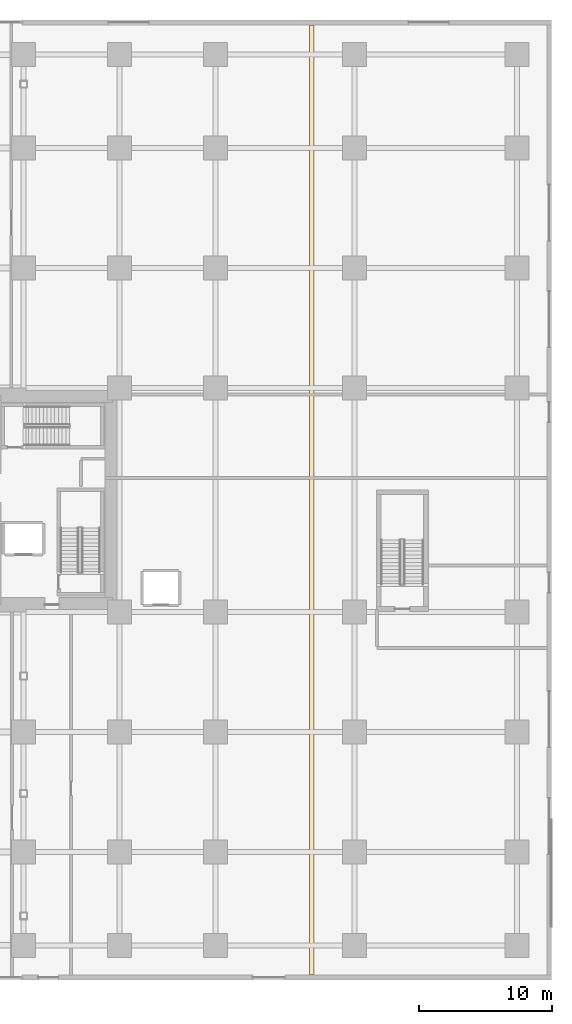
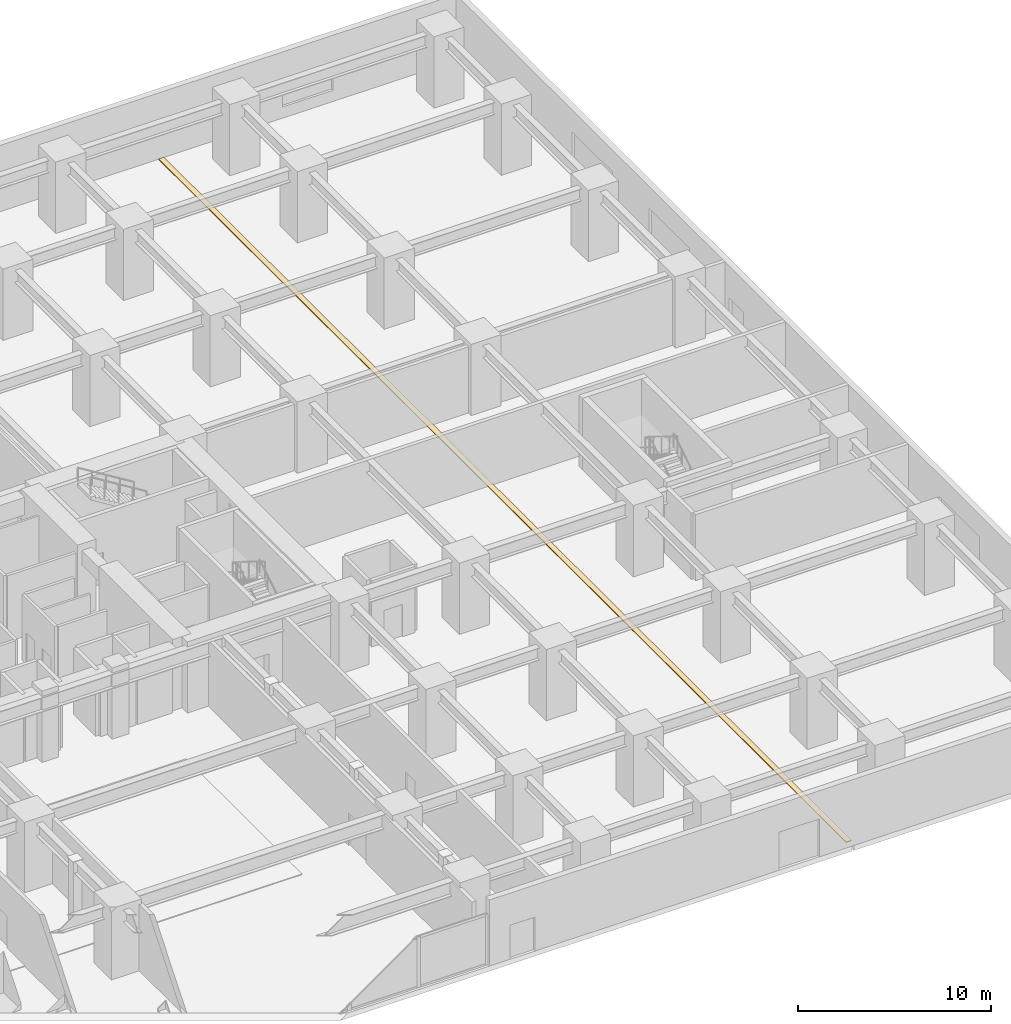
# One storey, part 24 of 26: 1 covering.
"""IFC4 building model written with IfcOpenShell, lengths in metres."""

import ifcopenshell
import ifcopenshell.guid

model = None  # the IFC model being written
_history = None  # IfcOwnerHistory: only IFC2X3 demands one
_inside = {}  # id of a spatial element -> (the spatial element, [elements in it])
_under = {}  # id of a project, library or spatial element -> (it, [spatial elements below it])
_declared = {}  # id of a project -> (the project, [libraries it declares])
_typed = {}  # id of a type object -> (the type object, [elements of that type])
_made_of = {}  # id of a material, layer set ... -> (it, [elements and type objects made of it])


def new_model(schema):
    """Start an empty IFC model of exactly this schema.

    Asked for "IFC4X3", IfcOpenShell would pick the latest addendum, in which some entities
    have other attributes; the version numbers below select the first issue.
    IFC2X3 requires an IfcOwnerHistory on every rooted entity: one is made here for all.
    """
    global model, _history
    if schema == "IFC4X3":
        model = ifcopenshell.file(schema_version=(4, 3, 0, 0))
    else:
        model = ifcopenshell.file(schema=schema)
    _inside.clear()
    _under.clear()
    _declared.clear()
    _typed.clear()
    _made_of.clear()
    _history = None
    if model.schema == "IFC2X3":
        org = make("IfcOrganization", Name="unknown")
        user = make(
            "IfcPersonAndOrganization",
            ThePerson=make("IfcPerson", FamilyName="unknown"),
            TheOrganization=org,
        )
        app = make(
            "IfcApplication",
            ApplicationDeveloper=org,
            Version="unknown",
            ApplicationFullName="unknown",
            ApplicationIdentifier="unknown",
        )
        _history = make(
            "IfcOwnerHistory",
            OwningUser=user,
            OwningApplication=app,
            ChangeAction="ADDED",
            CreationDate=0,
        )
    return model


def make(cls, **values):
    """One entity of the class cls with the attributes given. An attribute that is None is left unset."""
    return model.create_entity(
        cls, **{name: value for name, value in values.items() if value is not None}
    )


def rooted(cls, **values):
    """An entity with a GlobalId (a new one), such as an element, a storey or a relation."""
    return make(cls, GlobalId=ifcopenshell.guid.new(), OwnerHistory=_history, **values)


def si_unit(unit_type, name, prefix=None):
    """IfcSIUnit, for example si_unit("LENGTHUNIT", "METRE", prefix="MILLI")."""
    return make("IfcSIUnit", UnitType=unit_type, Prefix=prefix, Name=name)


def assignment(units):
    """IfcUnitAssignment: the units of a project."""
    return None if units is None else make("IfcUnitAssignment", Units=units)


def point(xyz):
    """IfcCartesianPoint."""
    return None if xyz is None else make("IfcCartesianPoint", Coordinates=xyz)


def direction(xyz):
    """IfcDirection."""
    return None if xyz is None else make("IfcDirection", DirectionRatios=xyz)


def frame(location, z_axis=None, x_axis=None):
    """IfcAxis2Placement3D, a coordinate frame: its origin and axes. An axis left out is left unset."""
    return make(
        "IfcAxis2Placement3D",
        Location=point(location),
        Axis=direction(z_axis),
        RefDirection=direction(x_axis),
    )


def origin():
    """The frame at (0, 0, 0) with its axes left unset."""
    return frame((0.0, 0.0, 0.0))


def place(relative_to, where):
    """IfcLocalPlacement: puts the frame where relative to a parent placement (None: the world)."""
    return make(
        "IfcLocalPlacement", PlacementRelTo=relative_to, RelativePlacement=where
    )


def context(
    kind, dimensions, precision=None, world=None, true_north=None, identifier=None
):
    """IfcGeometricRepresentationContext, for example the 3D "Model" context."""
    return make(
        "IfcGeometricRepresentationContext",
        ContextIdentifier=identifier,
        ContextType=kind,
        CoordinateSpaceDimension=dimensions,
        Precision=precision,
        WorldCoordinateSystem=world,
        TrueNorth=true_north,
    )


def subcontext(parent, identifier, kind, view, scale=None):
    """IfcGeometricRepresentationSubContext, for example "Body" below "Model"."""
    return make(
        "IfcGeometricRepresentationSubContext",
        ContextIdentifier=identifier,
        ContextType=kind,
        ParentContext=parent,
        TargetScale=scale,
        TargetView=view,
    )


def project(units=None, contexts=None):
    """IfcProject with its units and contexts."""
    return rooted(
        "IfcProject",
        Name="project",
        RepresentationContexts=contexts,
        UnitsInContext=assignment(units),
    )


def spatial(cls, under=None, at=None, **own):
    """A site, building, storey or space (cls), placed at a placement, below another one or the project."""
    s = rooted(cls, ObjectPlacement=at, **own)
    if under is not None:
        _under.setdefault(under.id(), (under, []))[1].append(s)
    return s


def polyline(points):
    """IfcPolyline through the points."""
    return make("IfcPolyline", Points=[point(p) for p in points])


def outline(outer, holes=None, kind="AREA"):
    """IfcArbitraryClosedProfileDef: a profile drawn as a closed curve; with holes, ...WithVoids."""
    if holes is None:
        return make("IfcArbitraryClosedProfileDef", ProfileType=kind, OuterCurve=outer)
    return make(
        "IfcArbitraryProfileDefWithVoids",
        ProfileType=kind,
        OuterCurve=outer,
        InnerCurves=holes,
    )


def extrude(swept, where, along, depth):
    """IfcExtrudedAreaSolid: the profile swept, set in the frame where, extruded along a direction by depth."""
    return make(
        "IfcExtrudedAreaSolid",
        SweptArea=swept,
        Position=where,
        ExtrudedDirection=direction(along),
        Depth=depth,
    )


def shape(context_of_items, identifier, shape_type, items):
    """IfcShapeRepresentation: the items that make up one representation, for example the "Body"."""
    return make(
        "IfcShapeRepresentation",
        ContextOfItems=context_of_items,
        RepresentationIdentifier=identifier,
        RepresentationType=shape_type,
        Items=items,
    )


def material(Name=None, Category=None):
    """IfcMaterial."""
    return make("IfcMaterial", Name=Name, Category=Category)


def layer(
    of_material, thickness, ventilated=None, Name=None, Category=None, Priority=None
):
    """IfcMaterialLayer: one layer of a wall or slab, of a material (None: an air gap)."""
    return make(
        "IfcMaterialLayer",
        Material=of_material,
        LayerThickness=thickness,
        IsVentilated=ventilated,
        Name=Name,
        Category=Category,
        Priority=Priority,
    )


def layer_set(layers, Name=None):
    """IfcMaterialLayerSet."""
    return make("IfcMaterialLayerSet", MaterialLayers=layers, LayerSetName=Name)


def made_of(thing, what):
    """Note that an element or type object is made of a material, layer set ...; save() writes the relation."""
    if what is not None:
        _made_of.setdefault(what.id(), (what, []))[1].append(thing)
    return thing


def type_object(cls, material=None, **own):
    """A type object (cls), such as IfcWallType, which elements share."""
    return made_of(rooted(cls, **own), material)


def element(
    cls,
    number,
    at=None,
    inside=None,
    cuts=None,
    type_object=None,
    material=None,
    context=None,
    identifier="Body",
    shape_type=None,
    held_by="IfcProductDefinitionShape",
    body=None,
    shapes=None,
    **own,
):
    """One element of the class cls, such as IfcWall. Its Tag is "e" and its number.

    at: its placement. inside: the storey or other place that contains it. cuts: it is an
    opening in that element (IfcRelVoidsElement). A single representation is given by context,
    identifier, shape_type and body (its items); several are given by shapes. held_by: the class
    of the entity that holds the representations. save() writes the other relations.
    """
    e = rooted(cls, Tag="e%d" % number, ObjectPlacement=at, **own)
    if body is not None:
        shapes = [shape(context, identifier, shape_type, body)]
    if shapes is not None:
        e.Representation = make(held_by, Representations=shapes)
    if inside is not None:
        _inside.setdefault(inside.id(), (inside, []))[1].append(e)
    if cuts is not None:
        rooted(
            "IfcRelVoidsElement", RelatingBuildingElement=cuts, RelatedOpeningElement=e
        )
    if type_object is not None:
        _typed.setdefault(type_object.id(), (type_object, []))[1].append(e)
    return made_of(e, material)


def aggregate(whole, parts):
    """IfcRelAggregates: a whole, such as a stair, and the parts it consists of."""
    return rooted("IfcRelAggregates", RelatingObject=whole, RelatedObjects=parts)


def save(model, path):
    """Write the relations noted so far, then the file.

    IfcRelAggregates (storeys below a building ...), IfcRelContainedInSpatialStructure (elements
    in a storey), IfcRelDefinesByType, IfcRelAssociatesMaterial and IfcRelDeclares: one each for
    every whole, place, type object, material and project.
    """
    for whole, parts in _under.values():
        aggregate(whole, parts)
    for where, things in _inside.values():
        rooted(
            "IfcRelContainedInSpatialStructure",
            RelatedElements=things,
            RelatingStructure=where,
        )
    for kind, things in _typed.values():
        rooted("IfcRelDefinesByType", RelatedObjects=things, RelatingType=kind)
    for what, things in _made_of.values():
        rooted("IfcRelAssociatesMaterial", RelatedObjects=things, RelatingMaterial=what)
    for by, libraries in _declared.values():
        rooted("IfcRelDeclares", RelatingContext=by, RelatedDefinitions=libraries)
    model.write(path)


model = new_model("IFC4")

# Units and contexts
model_context = context("Model", 3, precision=1e-05, world=origin(), true_north=direction((0.0, 1.0)))
body_context = subcontext(model_context, "Body", "Model", "MODEL_VIEW")
ifc_project = project(units=[si_unit("LENGTHUNIT", "METRE"), si_unit("AREAUNIT", "SQUARE_METRE"), si_unit("VOLUMEUNIT", "CUBIC_METRE"), si_unit("PLANEANGLEUNIT", "RADIAN"), si_unit("MASSUNIT", "GRAM", prefix="KILO")], contexts=[model_context])

# Site, building, storey
site_placement = place(None, origin())
site = spatial("IfcSite", under=ifc_project, at=site_placement, CompositionType="ELEMENT")
building_placement = place(site_placement, origin())
building = spatial("IfcBuilding", under=site, at=building_placement, Name="Kiyonajd Concourse Tower", CompositionType="ELEMENT")
storey_placement = place(building_placement, origin())
storey = spatial("IfcBuildingStorey", under=building, at=storey_placement, Name="L01", CompositionType="ELEMENT", Elevation=0.0)

# Covering
ifc_material = material(Name="Riyadh Jubaila Limestone", Category="masonry")
ifc_layer = layer(ifc_material, 0.050048828125)
ifc_layer_set = layer_set([ifc_layer], Name="Riyadh Jubaila Limestone")
covering_type = type_object("IfcCoveringType", Name="CV-FLR-RAISED", PredefinedType="FLOORING", material=ifc_layer_set)
covering_placement = place(storey_placement, origin())
element("IfcCovering", 1, at=covering_placement, inside=storey, type_object=covering_type, Name="L01 Seismic Movement Joint MJ1 Floor Cover Assembly", PredefinedType="FLOORING", context=body_context, shape_type="SweptSolid", body=[
    extrude(outline(polyline([(77.840087890625, 0.39990234375), (78.159912109375, 0.39990234375), (78.159912109375, 71.60009765625), (77.840087890625, 71.60009765625), (77.840087890625, 0.39990234375)])), origin(), (0.0, 0.0, 1.0), 0.050048828125),
])

save(model, "model.ifc")
